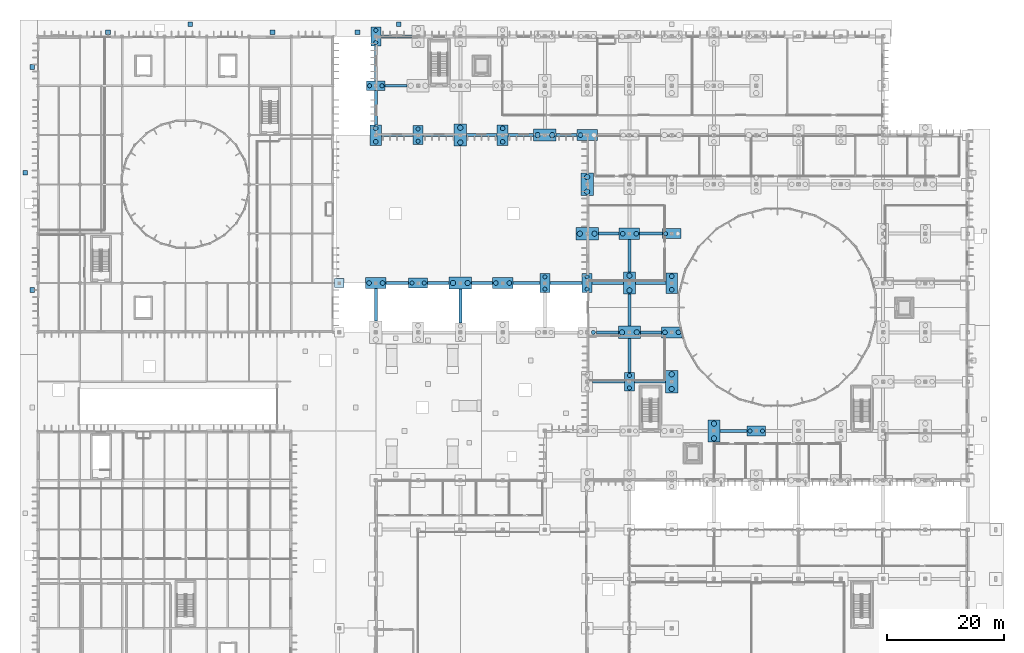
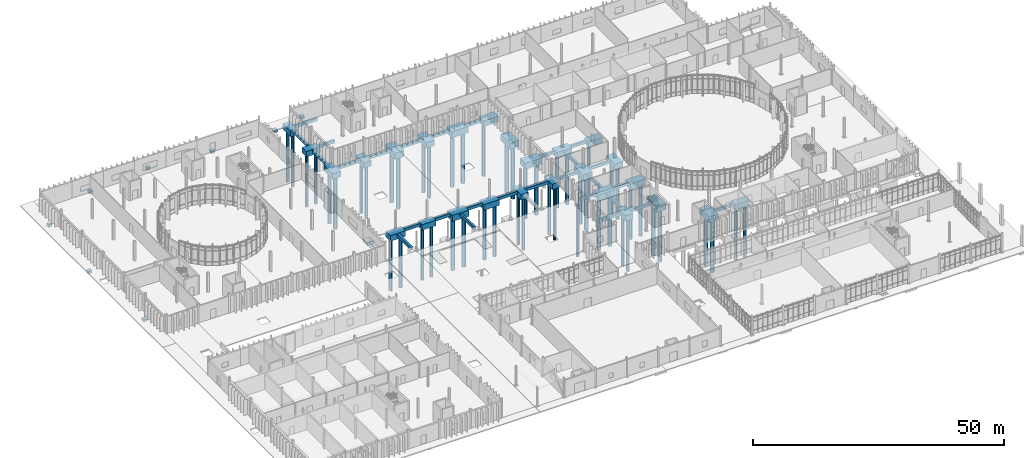
# One storey, part 3 of 118: 63 footings, 51 piles.
"""IFC4 building model written with IfcOpenShell, lengths in metres."""

import ifcopenshell
import ifcopenshell.guid

model = None  # the IFC model being written
_history = None  # IfcOwnerHistory: only IFC2X3 demands one
_inside = {}  # id of a spatial element -> (the spatial element, [elements in it])
_under = {}  # id of a project, library or spatial element -> (it, [spatial elements below it])
_declared = {}  # id of a project -> (the project, [libraries it declares])
_typed = {}  # id of a type object -> (the type object, [elements of that type])
_made_of = {}  # id of a material, layer set ... -> (it, [elements and type objects made of it])


def new_model(schema):
    """Start an empty IFC model of exactly this schema.

    Asked for "IFC4X3", IfcOpenShell would pick the latest addendum, in which some entities
    have other attributes; the version numbers below select the first issue.
    IFC2X3 requires an IfcOwnerHistory on every rooted entity: one is made here for all.
    """
    global model, _history
    if schema == "IFC4X3":
        model = ifcopenshell.file(schema_version=(4, 3, 0, 0))
    else:
        model = ifcopenshell.file(schema=schema)
    _inside.clear()
    _under.clear()
    _declared.clear()
    _typed.clear()
    _made_of.clear()
    _history = None
    if model.schema == "IFC2X3":
        org = make("IfcOrganization", Name="unknown")
        user = make(
            "IfcPersonAndOrganization",
            ThePerson=make("IfcPerson", FamilyName="unknown"),
            TheOrganization=org,
        )
        app = make(
            "IfcApplication",
            ApplicationDeveloper=org,
            Version="unknown",
            ApplicationFullName="unknown",
            ApplicationIdentifier="unknown",
        )
        _history = make(
            "IfcOwnerHistory",
            OwningUser=user,
            OwningApplication=app,
            ChangeAction="ADDED",
            CreationDate=0,
        )
    return model


def make(cls, **values):
    """One entity of the class cls with the attributes given. An attribute that is None is left unset."""
    return model.create_entity(
        cls, **{name: value for name, value in values.items() if value is not None}
    )


def rooted(cls, **values):
    """An entity with a GlobalId (a new one), such as an element, a storey or a relation."""
    return make(cls, GlobalId=ifcopenshell.guid.new(), OwnerHistory=_history, **values)


def si_unit(unit_type, name, prefix=None):
    """IfcSIUnit, for example si_unit("LENGTHUNIT", "METRE", prefix="MILLI")."""
    return make("IfcSIUnit", UnitType=unit_type, Prefix=prefix, Name=name)


def assignment(units):
    """IfcUnitAssignment: the units of a project."""
    return None if units is None else make("IfcUnitAssignment", Units=units)


def point(xyz):
    """IfcCartesianPoint."""
    return None if xyz is None else make("IfcCartesianPoint", Coordinates=xyz)


def direction(xyz):
    """IfcDirection."""
    return None if xyz is None else make("IfcDirection", DirectionRatios=xyz)


def frame(location, z_axis=None, x_axis=None):
    """IfcAxis2Placement3D, a coordinate frame: its origin and axes. An axis left out is left unset."""
    return make(
        "IfcAxis2Placement3D",
        Location=point(location),
        Axis=direction(z_axis),
        RefDirection=direction(x_axis),
    )


def frame_2d(location, x_axis=None):
    """IfcAxis2Placement2D, a coordinate frame in the plane: its origin and x axis."""
    return make(
        "IfcAxis2Placement2D", Location=point(location), RefDirection=direction(x_axis)
    )


def origin():
    """The frame at (0, 0, 0) with its axes left unset."""
    return frame((0.0, 0.0, 0.0))


def origin_2d():
    """The frame at (0, 0) in the plane with its x axis left unset."""
    return frame_2d((0.0, 0.0))


def place(relative_to, where):
    """IfcLocalPlacement: puts the frame where relative to a parent placement (None: the world)."""
    return make(
        "IfcLocalPlacement", PlacementRelTo=relative_to, RelativePlacement=where
    )


def context(
    kind, dimensions, precision=None, world=None, true_north=None, identifier=None
):
    """IfcGeometricRepresentationContext, for example the 3D "Model" context."""
    return make(
        "IfcGeometricRepresentationContext",
        ContextIdentifier=identifier,
        ContextType=kind,
        CoordinateSpaceDimension=dimensions,
        Precision=precision,
        WorldCoordinateSystem=world,
        TrueNorth=true_north,
    )


def subcontext(parent, identifier, kind, view, scale=None):
    """IfcGeometricRepresentationSubContext, for example "Body" below "Model"."""
    return make(
        "IfcGeometricRepresentationSubContext",
        ContextIdentifier=identifier,
        ContextType=kind,
        ParentContext=parent,
        TargetScale=scale,
        TargetView=view,
    )


def project(units=None, contexts=None):
    """IfcProject with its units and contexts."""
    return rooted(
        "IfcProject",
        Name="project",
        RepresentationContexts=contexts,
        UnitsInContext=assignment(units),
    )


def spatial(cls, under=None, at=None, **own):
    """A site, building, storey or space (cls), placed at a placement, below another one or the project."""
    s = rooted(cls, ObjectPlacement=at, **own)
    if under is not None:
        _under.setdefault(under.id(), (under, []))[1].append(s)
    return s


def polyline(points):
    """IfcPolyline through the points."""
    return make("IfcPolyline", Points=[point(p) for p in points])


def profile(cls, at=None, kind="AREA", **sizes):
    """A parametric profile (cls). Its sizes go by their IFC names, for example OverallWidth=200.0."""
    return make(cls, ProfileType=kind, Position=at, **sizes)


def rectangle(**sizes):
    """IfcRectangleProfileDef."""
    return profile("IfcRectangleProfileDef", **sizes)


def circle(**sizes):
    """IfcCircleProfileDef."""
    return profile("IfcCircleProfileDef", **sizes)


def outline(outer, holes=None, kind="AREA"):
    """IfcArbitraryClosedProfileDef: a profile drawn as a closed curve; with holes, ...WithVoids."""
    if holes is None:
        return make("IfcArbitraryClosedProfileDef", ProfileType=kind, OuterCurve=outer)
    return make(
        "IfcArbitraryProfileDefWithVoids",
        ProfileType=kind,
        OuterCurve=outer,
        InnerCurves=holes,
    )


def extrude(swept, where, along, depth):
    """IfcExtrudedAreaSolid: the profile swept, set in the frame where, extruded along a direction by depth."""
    return make(
        "IfcExtrudedAreaSolid",
        SweptArea=swept,
        Position=where,
        ExtrudedDirection=direction(along),
        Depth=depth,
    )


def shape(context_of_items, identifier, shape_type, items):
    """IfcShapeRepresentation: the items that make up one representation, for example the "Body"."""
    return make(
        "IfcShapeRepresentation",
        ContextOfItems=context_of_items,
        RepresentationIdentifier=identifier,
        RepresentationType=shape_type,
        Items=items,
    )


def material(Name=None, Category=None):
    """IfcMaterial."""
    return make("IfcMaterial", Name=Name, Category=Category)


def layer(
    of_material, thickness, ventilated=None, Name=None, Category=None, Priority=None
):
    """IfcMaterialLayer: one layer of a wall or slab, of a material (None: an air gap)."""
    return make(
        "IfcMaterialLayer",
        Material=of_material,
        LayerThickness=thickness,
        IsVentilated=ventilated,
        Name=Name,
        Category=Category,
        Priority=Priority,
    )


def layer_set(layers, Name=None):
    """IfcMaterialLayerSet."""
    return make("IfcMaterialLayerSet", MaterialLayers=layers, LayerSetName=Name)


def material_profile(
    of_material, cross_section, Name=None, Category=None, Priority=None
):
    """IfcMaterialProfile: a cross section and its material."""
    return make(
        "IfcMaterialProfile",
        Name=Name,
        Material=of_material,
        Profile=cross_section,
        Priority=Priority,
        Category=Category,
    )


def profile_set(profiles, Name=None, composite=None):
    """IfcMaterialProfileSet."""
    return make(
        "IfcMaterialProfileSet",
        Name=Name,
        MaterialProfiles=profiles,
        CompositeProfile=composite,
    )


def made_of(thing, what):
    """Note that an element or type object is made of a material, layer set ...; save() writes the relation."""
    if what is not None:
        _made_of.setdefault(what.id(), (what, []))[1].append(thing)
    return thing


def type_object(cls, material=None, **own):
    """A type object (cls), such as IfcWallType, which elements share."""
    return made_of(rooted(cls, **own), material)


def element(
    cls,
    number,
    at=None,
    inside=None,
    cuts=None,
    type_object=None,
    material=None,
    context=None,
    identifier="Body",
    shape_type=None,
    held_by="IfcProductDefinitionShape",
    body=None,
    shapes=None,
    **own,
):
    """One element of the class cls, such as IfcWall. Its Tag is "e" and its number.

    at: its placement. inside: the storey or other place that contains it. cuts: it is an
    opening in that element (IfcRelVoidsElement). A single representation is given by context,
    identifier, shape_type and body (its items); several are given by shapes. held_by: the class
    of the entity that holds the representations. save() writes the other relations.
    """
    e = rooted(cls, Tag="e%d" % number, ObjectPlacement=at, **own)
    if body is not None:
        shapes = [shape(context, identifier, shape_type, body)]
    if shapes is not None:
        e.Representation = make(held_by, Representations=shapes)
    if inside is not None:
        _inside.setdefault(inside.id(), (inside, []))[1].append(e)
    if cuts is not None:
        rooted(
            "IfcRelVoidsElement", RelatingBuildingElement=cuts, RelatedOpeningElement=e
        )
    if type_object is not None:
        _typed.setdefault(type_object.id(), (type_object, []))[1].append(e)
    return made_of(e, material)


def aggregate(whole, parts):
    """IfcRelAggregates: a whole, such as a stair, and the parts it consists of."""
    return rooted("IfcRelAggregates", RelatingObject=whole, RelatedObjects=parts)


def save(model, path):
    """Write the relations noted so far, then the file.

    IfcRelAggregates (storeys below a building ...), IfcRelContainedInSpatialStructure (elements
    in a storey), IfcRelDefinesByType, IfcRelAssociatesMaterial and IfcRelDeclares: one each for
    every whole, place, type object, material and project.
    """
    for whole, parts in _under.values():
        aggregate(whole, parts)
    for where, things in _inside.values():
        rooted(
            "IfcRelContainedInSpatialStructure",
            RelatedElements=things,
            RelatingStructure=where,
        )
    for kind, things in _typed.values():
        rooted("IfcRelDefinesByType", RelatedObjects=things, RelatingType=kind)
    for what, things in _made_of.values():
        rooted("IfcRelAssociatesMaterial", RelatedObjects=things, RelatingMaterial=what)
    for by, libraries in _declared.values():
        rooted("IfcRelDeclares", RelatingContext=by, RelatedDefinitions=libraries)
    model.write(path)


model = new_model("IFC4")

# Units and contexts
model_context = context("Model", 3, precision=1e-05, world=origin(), true_north=direction((0.0, 1.0)))
body_context = subcontext(model_context, "Body", "Model", "MODEL_VIEW")
ifc_project = project(units=[si_unit("LENGTHUNIT", "METRE"), si_unit("AREAUNIT", "SQUARE_METRE"), si_unit("VOLUMEUNIT", "CUBIC_METRE"), si_unit("PLANEANGLEUNIT", "RADIAN"), si_unit("MASSUNIT", "GRAM", prefix="KILO")], contexts=[model_context])

# Site, building, storey
site_placement = place(None, origin())
site = spatial("IfcSite", under=ifc_project, at=site_placement, CompositionType="ELEMENT")
building_placement = place(site_placement, origin())
building = spatial("IfcBuilding", under=site, at=building_placement, Name="Qelthora Terrace Specialist Clinic", CompositionType="ELEMENT")
storey_placement = place(building_placement, origin())
storey = spatial("IfcBuildingStorey", under=building, at=storey_placement, Name="L00", CompositionType="ELEMENT", Elevation=0.0)

# Footings
ifc_material = material(Name="Concrete C35/45", Category="concrete")
ifc_layer_1 = layer(ifc_material, 1.35009765625)
ifc_layer_set_1 = layer_set([ifc_layer_1], Name="Concrete C35/45")
footing_type_1 = type_object("IfcFootingType", Name="PC-1700X3200X1350", PredefinedType="PILE_CAP", material=ifc_layer_set_1)
for number, where, z_axis, x_axis, name in (
    (1, (57.60009765625, 109.199951171875, -1.610107421875), (0.0, 0.0, 1.0), (1.0, 0.0, 0.0), "Foundation FTG-L00-113"),
    (2, (64.800048828125, 92.39990234375, -1.610107421875), (0.0, 0.0, 1.0), (1.0, 0.0, 0.0), "Foundation FTG-L00-119"),
    (3, (86.39990234375, 67.199951171875, -1.610107421875), (0.0, 0.0, 1.0), (1.0, 0.0, 0.0), "Foundation FTG-L00-143"),
    (4, (93.60009765625, 67.199951171875, -1.610107421875), (0.0, 0.0, 1.0), (1.0, 0.0, 0.0), "Foundation FTG-L00-155"),
    (5, (100.800048828125, 50.39990234375, -1.610107421875), (0.0, 0.0, 1.0), (1.0, 0.0, 0.0), "Foundation FTG-L00-167"),
):
    element("IfcFooting", number, at=place(storey_placement, frame(where, z_axis=z_axis, x_axis=x_axis)), inside=storey, type_object=footing_type_1, Name=name, PredefinedType="PILE_CAP", context=body_context, shape_type="SweptSolid", body=[
        extrude(rectangle(XDim=1.699951171875, YDim=3.199951171875, at=origin_2d()), origin(), (0.0, 0.0, 1.0), 1.35009765625),
    ])
ifc_layer_2 = layer(ifc_material, 1.39990234375)
ifc_layer_set_2 = layer_set([ifc_layer_2], Name="Concrete C35/45")
footing_type_2 = type_object("IfcFootingType", Name="PC-1900X3500X1400", PredefinedType="PILE_CAP", material=ifc_layer_set_2)
for number, where, z_axis, x_axis, name in (
    (6, (57.60009765625, 92.39990234375, -1.659912109375), (0.0, 0.0, 1.0), (1.0, 0.0, 0.0), "Foundation FTG-L00-111"),
    (7, (79.199951171875, 92.39990234375, -1.659912109375), (0.0, 0.0, 1.0), (1.0, 0.0, 0.0), "Foundation FTG-L00-135"),
    (8, (108.0, 67.199951171875, -1.659912109375), (0.0, 0.0, 1.0), (1.0, 0.0, 0.0), "Foundation FTG-L00-183"),
):
    element("IfcFooting", number, at=place(storey_placement, frame(where, z_axis=z_axis, x_axis=x_axis)), inside=storey, type_object=footing_type_2, Name=name, PredefinedType="PILE_CAP", context=body_context, shape_type="SweptSolid", body=[
        extrude(rectangle(XDim=1.89990234375, YDim=3.5, at=origin_2d()), origin(), (0.0, 0.0, 1.0), 1.39990234375),
    ])
ifc_layer_3 = layer(ifc_material, 1.5)
ifc_layer_set_3 = layer_set([ifc_layer_3], Name="Concrete C35/45")
footing_type_3 = type_object("IfcFootingType", Name="PC-2100X3800X1500", PredefinedType="PILE_CAP", material=ifc_layer_set_3)
for number, where, z_axis, x_axis, name in (
    (9, (72.0, 92.39990234375, -1.760009765625), (0.0, 0.0, 1.0), (1.0, 0.0, 0.0), "Foundation FTG-L00-127"),
    (10, (93.60009765625, 84.0, -1.760009765625), (0.0, 0.0, 1.0), (1.0, 0.0, 0.0), "Foundation FTG-L00-157"),
    (11, (100.800048828125, 67.199951171875, -1.760009765625), (0.0, 0.0, 1.0), (1.0, 0.0, 0.0), "Foundation FTG-L00-169"),
    (12, (108.0, 50.39990234375, -1.760009765625), (0.0, 0.0, 1.0), (1.0, 0.0, 0.0), "Foundation FTG-L00-181"),
    (13, (115.199951171875, 42.0, -1.760009765625), (0.0, 0.0, 1.0), (1.0, 0.0, 0.0), "Foundation FTG-L00-193"),
):
    element("IfcFooting", number, at=place(storey_placement, frame(where, z_axis=z_axis, x_axis=x_axis)), inside=storey, type_object=footing_type_3, Name=name, PredefinedType="PILE_CAP", context=body_context, shape_type="SweptSolid", body=[
        extrude(rectangle(XDim=2.10009765625, YDim=3.800048828125, at=origin_2d()), origin(), (0.0, 0.0, 1.0), 1.5),
    ])
ifc_layer_4 = layer(ifc_material, 1.35009765625)
ifc_layer_set_4 = layer_set([ifc_layer_4], Name="Concrete C35/45")
footing_type_4 = type_object("IfcFootingType", Name="PC-3200X1700X1350", PredefinedType="PILE_CAP", material=ifc_layer_set_4)
for number, where, z_axis, x_axis, name in (
    (14, (57.60009765625, 100.800048828125, -1.610107421875), (0.0, 0.0, 1.0), (1.0, 0.0, 0.0), "Foundation FTG-L00-112"),
    (15, (64.800048828125, 67.199951171875, -1.610107421875), (0.0, 0.0, 1.0), (1.0, 0.0, 0.0), "Foundation FTG-L00-118"),
    (16, (108.0, 75.60009765625, -1.610107421875), (0.0, 0.0, 1.0), (1.0, 0.0, 0.0), "Foundation FTG-L00-184"),
    (17, (122.39990234375, 42.0, -1.610107421875), (0.0, 0.0, 1.0), (1.0, 0.0, 0.0), "Foundation FTG-L00-202"),
):
    element("IfcFooting", number, at=place(storey_placement, frame(where, z_axis=z_axis, x_axis=x_axis)), inside=storey, type_object=footing_type_4, Name=name, PredefinedType="PILE_CAP", context=body_context, shape_type="SweptSolid", body=[
        extrude(rectangle(XDim=3.199951171875, YDim=1.699951171875, at=origin_2d()), origin(), (0.0, 0.0, 1.0), 1.35009765625),
    ])
ifc_layer_5 = layer(ifc_material, 1.39990234375)
ifc_layer_set_5 = layer_set([ifc_layer_5], Name="Concrete C35/45")
footing_type_5 = type_object("IfcFootingType", Name="PC-3500X1900X1400", PredefinedType="PILE_CAP", material=ifc_layer_set_5)
for number, where, z_axis, x_axis, name in (
    (18, (57.60009765625, 67.199951171875, -1.659912109375), (0.0, 0.0, 1.0), (1.0, 0.0, 0.0), "Foundation FTG-L00-110"),
    (19, (79.199951171875, 67.199951171875, -1.659912109375), (0.0, 0.0, 1.0), (1.0, 0.0, 0.0), "Foundation FTG-L00-134"),
    (20, (93.60009765625, 92.39990234375, -1.659912109375), (0.0, 0.0, 1.0), (1.0, 0.0, 0.0), "Foundation FTG-L00-158"),
    (21, (100.800048828125, 75.60009765625, -1.659912109375), (0.0, 0.0, 1.0), (1.0, 0.0, 0.0), "Foundation FTG-L00-170"),
    (22, (108.0, 58.800048828125, -1.659912109375), (0.0, 0.0, 1.0), (1.0, 0.0, 0.0), "Foundation FTG-L00-182"),
):
    element("IfcFooting", number, at=place(storey_placement, frame(where, z_axis=z_axis, x_axis=x_axis)), inside=storey, type_object=footing_type_5, Name=name, PredefinedType="PILE_CAP", context=body_context, shape_type="SweptSolid", body=[
        extrude(rectangle(XDim=3.5, YDim=1.89990234375, at=origin_2d()), origin(), (0.0, 0.0, 1.0), 1.39990234375),
    ])
ifc_layer_6 = layer(ifc_material, 1.5)
ifc_layer_set_6 = layer_set([ifc_layer_6], Name="Concrete C35/45")
footing_type_6 = type_object("IfcFootingType", Name="PC-3800X2100X1500", PredefinedType="PILE_CAP", material=ifc_layer_set_6)
for number, where, z_axis, x_axis, name in (
    (23, (72.0, 67.199951171875, -1.760009765625), (0.0, 0.0, 1.0), (1.0, 0.0, 0.0), "Foundation FTG-L00-126"),
    (24, (86.39990234375, 92.39990234375, -1.760009765625), (0.0, 0.0, 1.0), (1.0, 0.0, 0.0), "Foundation FTG-L00-144"),
    (25, (93.60009765625, 75.60009765625, -1.760009765625), (0.0, 0.0, 1.0), (1.0, 0.0, 0.0), "Foundation FTG-L00-156"),
    (26, (100.800048828125, 58.800048828125, -1.760009765625), (0.0, 0.0, 1.0), (1.0, 0.0, 0.0), "Foundation FTG-L00-168"),
):
    element("IfcFooting", number, at=place(storey_placement, frame(where, z_axis=z_axis, x_axis=x_axis)), inside=storey, type_object=footing_type_6, Name=name, PredefinedType="PILE_CAP", context=body_context, shape_type="SweptSolid", body=[
        extrude(rectangle(XDim=3.800048828125, YDim=2.10009765625, at=origin_2d()), origin(), (0.0, 0.0, 1.0), 1.5),
    ])
ifc_layer_7 = layer(ifc_material, 0.699951171875)
ifc_layer_set_7 = layer_set([ifc_layer_7], Name="Concrete C35/45")
footing_type_7 = type_object("IfcFootingType", Name="PF-1600X1600X700", PredefinedType="PAD_FOOTING", material=ifc_layer_set_7)
footing_1_placement = place(storey_placement, frame((51.39990234375, 67.199951171875, -0.9599609375), z_axis=(0.0, 0.0, 1.0), x_axis=(1.0, 0.0, 0.0)))
element("IfcFooting", 27, at=footing_1_placement, inside=storey, type_object=footing_type_7, Name="Foundation FTG-L00-103", PredefinedType="PAD_FOOTING", context=body_context, shape_type="SweptSolid", body=[
    extrude(rectangle(XDim=1.60009765625, YDim=1.60009765625, at=origin_2d()), origin(), (0.0, 0.0, 1.0), 0.699951171875),
])
ifc_layer_8 = layer(ifc_material, 0.64990234375)
ifc_layer_set_8 = layer_set([ifc_layer_8], Name="Concrete C35/45")
footing_type_8 = type_object("IfcFootingType", Name="PF-800X800X650", PredefinedType="PAD_FOOTING", material=ifc_layer_set_8)
for number, where, z_axis, x_axis, name in (
    (28, (12.0, 109.89990234375, -0.89990234375), (0.0, 0.0, 1.0), (1.0, 0.0, 0.0), "Under-slab apron pad footing FTG-PLZ-01"),
    (29, (26.0, 111.300048828125, -0.89990234375), (0.0, 0.0, 1.0), (1.0, 0.0, 0.0), "Under-slab apron pad footing FTG-PLZ-02"),
    (30, (40.0, 109.89990234375, -0.89990234375), (0.0, 0.0, 1.0), (1.0, 0.0, 0.0), "Under-slab apron pad footing FTG-PLZ-03"),
    (31, (54.5, 109.89990234375, -0.89990234375), (0.0, 0.0, 1.0), (1.0, 0.0, 0.0), "Under-slab apron pad footing FTG-PLZ-04"),
    (32, (61.5, 111.300048828125, -0.89990234375), (0.0, 0.0, 1.0), (1.0, 0.0, 0.0), "Under-slab apron pad footing FTG-PLZ-05"),
    (33, (-0.89990234375, 66.0, -0.89990234375), (0.0, 0.0, 1.0), (1.0, 0.0, 0.0), "Under-slab apron pad footing FTG-PLZ-22"),
    (34, (-2.10009765625, 86.0, -0.89990234375), (0.0, 0.0, 1.0), (1.0, 0.0, 0.0), "Under-slab apron pad footing FTG-PLZ-23"),
    (35, (-0.89990234375, 104.0, -0.89990234375), (0.0, 0.0, 1.0), (1.0, 0.0, 0.0), "Under-slab apron pad footing FTG-PLZ-24"),
):
    element("IfcFooting", number, at=place(storey_placement, frame(where, z_axis=z_axis, x_axis=x_axis)), inside=storey, type_object=footing_type_8, Name=name, PredefinedType="PAD_FOOTING", context=body_context, shape_type="SweptSolid", body=[
        extrude(rectangle(XDim=0.800048828125, YDim=0.800048828125, at=origin_2d()), origin(), (0.0, 0.0, 1.0), 0.64990234375),
    ])

# Piles
ifc_material_profile_1 = material_profile(ifc_material, circle(Radius=0.35009765625, at=origin_2d()), Name="PILE700")
ifc_profile_set_1 = profile_set([ifc_material_profile_1], Name="Concrete C35/45")
pile_type_1 = type_object("IfcPileType", Name="PILE-D700-C35", PredefinedType="BORED", material=ifc_profile_set_1)
for number, where, z_axis, x_axis, name in (
    (36, (56.550048828125, 100.800048828125, -1.510009765625), (0.0, 0.0, -1.0), (1.0, 0.0, 0.0), "Bored pile PILE-L00-112-1"),
    (37, (58.64990234375, 100.800048828125, -1.510009765625), (0.0, 0.0, -1.0), (1.0, 0.0, 0.0), "Bored pile PILE-L00-112-2"),
    (38, (57.60009765625, 108.14990234375, -1.510009765625), (0.0, 0.0, -1.0), (1.0, 0.0, 0.0), "Bored pile PILE-L00-113-1"),
    (39, (57.60009765625, 110.25, -1.510009765625), (0.0, 0.0, -1.0), (1.0, 0.0, 0.0), "Bored pile PILE-L00-113-2"),
    (40, (63.75, 67.199951171875, -1.510009765625), (0.0, 0.0, -1.0), (1.0, 0.0, 0.0), "Bored pile PILE-L00-118-1"),
    (41, (65.85009765625, 67.199951171875, -1.510009765625), (0.0, 0.0, -1.0), (1.0, 0.0, 0.0), "Bored pile PILE-L00-118-2"),
    (42, (64.800048828125, 91.35009765625, -1.510009765625), (0.0, 0.0, -1.0), (1.0, 0.0, 0.0), "Bored pile PILE-L00-119-1"),
    (43, (64.800048828125, 93.449951171875, -1.510009765625), (0.0, 0.0, -1.0), (1.0, 0.0, 0.0), "Bored pile PILE-L00-119-2"),
    (44, (86.39990234375, 66.14990234375, -1.510009765625), (0.0, 0.0, -1.0), (1.0, 0.0, 0.0), "Bored pile PILE-L00-143-1"),
    (45, (86.39990234375, 68.25, -1.510009765625), (0.0, 0.0, -1.0), (1.0, 0.0, 0.0), "Bored pile PILE-L00-143-2"),
    (46, (94.64990234375, 58.800048828125, -1.510009765625), (0.0, 0.0, -1.0), (1.0, 0.0, 0.0), "Bored pile PILE-L00-154-2"),
    (47, (93.60009765625, 66.14990234375, -1.510009765625), (0.0, 0.0, -1.0), (1.0, 0.0, 0.0), "Bored pile PILE-L00-155-1"),
    (48, (93.60009765625, 68.25, -1.510009765625), (0.0, 0.0, -1.0), (1.0, 0.0, 0.0), "Bored pile PILE-L00-155-2"),
    (49, (100.800048828125, 49.35009765625, -1.510009765625), (0.0, 0.0, -1.0), (1.0, 0.0, 0.0), "Bored pile PILE-L00-167-1"),
    (50, (100.800048828125, 51.449951171875, -1.510009765625), (0.0, 0.0, -1.0), (1.0, 0.0, 0.0), "Bored pile PILE-L00-167-2"),
    (51, (106.949951171875, 75.60009765625, -1.510009765625), (0.0, 0.0, -1.0), (1.0, 0.0, 0.0), "Bored pile PILE-L00-184-1"),
    (52, (121.35009765625, 42.0, -1.510009765625), (0.0, 0.0, -1.0), (1.0, 0.0, 0.0), "Bored pile PILE-L00-202-1"),
    (53, (123.449951171875, 42.0, -1.510009765625), (0.0, 0.0, -1.0), (1.0, 0.0, 0.0), "Bored pile PILE-L00-202-2"),
):
    element("IfcPile", number, at=place(storey_placement, frame(where, z_axis=z_axis, x_axis=x_axis)), inside=storey, type_object=pile_type_1, Name=name, PredefinedType="BORED", context=body_context, shape_type="SweptSolid", body=[
        extrude(circle(Radius=0.35009765625, at=origin_2d()), origin(), (0.0, 0.0, 1.0), 12.7900390625),
    ])
ifc_material_profile_2 = material_profile(ifc_material, circle(Radius=0.39990234375, at=origin_2d()), Name="PILE800")
ifc_profile_set_2 = profile_set([ifc_material_profile_2], Name="Concrete C35/45")
pile_type_2 = type_object("IfcPileType", Name="PILE-D800-C35", PredefinedType="BORED", material=ifc_profile_set_2)
for number, where, z_axis, x_axis, name in (
    (54, (56.449951171875, 67.199951171875, -1.56005859375), (0.0, 0.0, -1.0), (1.0, 0.0, 0.0), "Bored pile PILE-L00-110-1"),
    (55, (58.75, 67.199951171875, -1.56005859375), (0.0, 0.0, -1.0), (1.0, 0.0, 0.0), "Bored pile PILE-L00-110-2"),
    (56, (57.60009765625, 91.25, -1.56005859375), (0.0, 0.0, -1.0), (1.0, 0.0, 0.0), "Bored pile PILE-L00-111-1"),
    (57, (57.60009765625, 93.550048828125, -1.56005859375), (0.0, 0.0, -1.0), (1.0, 0.0, 0.0), "Bored pile PILE-L00-111-2"),
    (58, (78.050048828125, 67.199951171875, -1.56005859375), (0.0, 0.0, -1.0), (1.0, 0.0, 0.0), "Bored pile PILE-L00-134-1"),
    (59, (80.35009765625, 67.199951171875, -1.56005859375), (0.0, 0.0, -1.0), (1.0, 0.0, 0.0), "Bored pile PILE-L00-134-2"),
    (60, (79.199951171875, 91.25, -1.56005859375), (0.0, 0.0, -1.0), (1.0, 0.0, 0.0), "Bored pile PILE-L00-135-1"),
    (61, (79.199951171875, 93.550048828125, -1.56005859375), (0.0, 0.0, -1.0), (1.0, 0.0, 0.0), "Bored pile PILE-L00-135-2"),
    (62, (92.449951171875, 92.39990234375, -1.56005859375), (0.0, 0.0, -1.0), (1.0, 0.0, 0.0), "Bored pile PILE-L00-158-1"),
    (63, (99.64990234375, 75.60009765625, -1.56005859375), (0.0, 0.0, -1.0), (1.0, 0.0, 0.0), "Bored pile PILE-L00-170-1"),
    (64, (101.949951171875, 75.60009765625, -1.56005859375), (0.0, 0.0, -1.0), (1.0, 0.0, 0.0), "Bored pile PILE-L00-170-2"),
    (65, (106.85009765625, 58.800048828125, -1.56005859375), (0.0, 0.0, -1.0), (1.0, 0.0, 0.0), "Bored pile PILE-L00-182-1"),
    (66, (109.14990234375, 58.800048828125, -1.56005859375), (0.0, 0.0, -1.0), (1.0, 0.0, 0.0), "Bored pile PILE-L00-182-2"),
    (67, (108.0, 66.050048828125, -1.56005859375), (0.0, 0.0, -1.0), (1.0, 0.0, 0.0), "Bored pile PILE-L00-183-1"),
    (68, (108.0, 68.35009765625, -1.56005859375), (0.0, 0.0, -1.0), (1.0, 0.0, 0.0), "Bored pile PILE-L00-183-2"),
):
    element("IfcPile", number, at=place(storey_placement, frame(where, z_axis=z_axis, x_axis=x_axis)), inside=storey, type_object=pile_type_2, Name=name, PredefinedType="BORED", context=body_context, shape_type="SweptSolid", body=[
        extrude(circle(Radius=0.39990234375, at=origin_2d()), origin(), (0.0, 0.0, 1.0), 12.739990234375),
    ])
ifc_material_profile_3 = material_profile(ifc_material, circle(Radius=0.449951171875, at=origin_2d()), Name="PILE900")
ifc_profile_set_3 = profile_set([ifc_material_profile_3], Name="Concrete C35/45")
pile_type_3 = type_object("IfcPileType", Name="PILE-D900-C35", PredefinedType="BORED", material=ifc_profile_set_3)
for number, where, z_axis, x_axis, name in (
    (69, (70.75, 67.199951171875, -1.659912109375), (0.0, 0.0, -1.0), (1.0, 0.0, 0.0), "Bored pile PILE-L00-126-1"),
    (70, (73.25, 67.199951171875, -1.659912109375), (0.0, 0.0, -1.0), (1.0, 0.0, 0.0), "Bored pile PILE-L00-126-2"),
    (71, (72.0, 91.14990234375, -1.659912109375), (0.0, 0.0, -1.0), (1.0, 0.0, 0.0), "Bored pile PILE-L00-127-1"),
    (72, (72.0, 93.64990234375, -1.659912109375), (0.0, 0.0, -1.0), (1.0, 0.0, 0.0), "Bored pile PILE-L00-127-2"),
    (73, (85.14990234375, 92.39990234375, -1.659912109375), (0.0, 0.0, -1.0), (1.0, 0.0, 0.0), "Bored pile PILE-L00-144-1"),
    (74, (87.64990234375, 92.39990234375, -1.659912109375), (0.0, 0.0, -1.0), (1.0, 0.0, 0.0), "Bored pile PILE-L00-144-2"),
    (75, (92.35009765625, 75.60009765625, -1.659912109375), (0.0, 0.0, -1.0), (1.0, 0.0, 0.0), "Bored pile PILE-L00-156-1"),
    (76, (94.85009765625, 75.60009765625, -1.659912109375), (0.0, 0.0, -1.0), (1.0, 0.0, 0.0), "Bored pile PILE-L00-156-2"),
    (77, (93.60009765625, 82.75, -1.659912109375), (0.0, 0.0, -1.0), (1.0, 0.0, 0.0), "Bored pile PILE-L00-157-1"),
    (78, (93.60009765625, 85.25, -1.659912109375), (0.0, 0.0, -1.0), (1.0, 0.0, 0.0), "Bored pile PILE-L00-157-2"),
    (79, (99.550048828125, 58.800048828125, -1.659912109375), (0.0, 0.0, -1.0), (1.0, 0.0, 0.0), "Bored pile PILE-L00-168-1"),
    (80, (102.050048828125, 58.800048828125, -1.659912109375), (0.0, 0.0, -1.0), (1.0, 0.0, 0.0), "Bored pile PILE-L00-168-2"),
    (81, (100.800048828125, 65.949951171875, -1.659912109375), (0.0, 0.0, -1.0), (1.0, 0.0, 0.0), "Bored pile PILE-L00-169-1"),
    (82, (100.800048828125, 68.449951171875, -1.659912109375), (0.0, 0.0, -1.0), (1.0, 0.0, 0.0), "Bored pile PILE-L00-169-2"),
    (83, (108.0, 49.14990234375, -1.659912109375), (0.0, 0.0, -1.0), (1.0, 0.0, 0.0), "Bored pile PILE-L00-181-1"),
    (84, (108.0, 51.64990234375, -1.659912109375), (0.0, 0.0, -1.0), (1.0, 0.0, 0.0), "Bored pile PILE-L00-181-2"),
    (85, (115.199951171875, 40.75, -1.659912109375), (0.0, 0.0, -1.0), (1.0, 0.0, 0.0), "Bored pile PILE-L00-193-1"),
    (86, (115.199951171875, 43.25, -1.659912109375), (0.0, 0.0, -1.0), (1.0, 0.0, 0.0), "Bored pile PILE-L00-193-2"),
):
    element("IfcPile", number, at=place(storey_placement, frame(where, z_axis=z_axis, x_axis=x_axis)), inside=storey, type_object=pile_type_3, Name=name, PredefinedType="BORED", context=body_context, shape_type="SweptSolid", body=[
        extrude(circle(Radius=0.449951171875, at=origin_2d()), origin(), (0.0, 0.0, 1.0), 12.639892578125),
    ])

# Footings
ifc_layer_9 = layer(ifc_material, 0.699951171875)
ifc_layer_set_9 = layer_set([ifc_layer_9], Name="Concrete C35/45")
footing_type_9 = type_object("IfcFootingType", Name="SF-500X700-C35", PredefinedType="STRIP_FOOTING", material=ifc_layer_set_9)
footing_2_placement = place(storey_placement, frame((0.0, 0.0, -0.9599609375)))
element("IfcFooting", 87, at=footing_2_placement, inside=storey, type_object=footing_type_9, Name="Foundation tie strip SF-Y-139", PredefinedType="STRIP_FOOTING", context=body_context, shape_type="SweptSolid", body=[
    extrude(outline(polyline([(57.35009765625, 60.699951171875), (57.85009765625, 60.699951171875), (57.85009765625, 66.25), (57.35009765625, 66.25), (57.35009765625, 60.699951171875)])), origin(), (0.0, 0.0, 1.0), 0.699951171875),
])
footing_3_placement = place(storey_placement, frame((0.0, 0.0, -0.9599609375)))
element("IfcFooting", 88, at=footing_3_placement, inside=storey, type_object=footing_type_9, Name="Foundation tie strip SF-X-140", PredefinedType="STRIP_FOOTING", context=body_context, shape_type="SweptSolid", body=[
    extrude(outline(polyline([(59.35009765625, 66.949951171875), (63.199951171875, 66.949951171875), (63.199951171875, 67.449951171875), (59.35009765625, 67.449951171875), (59.35009765625, 66.949951171875)])), origin(), (0.0, 0.0, 1.0), 0.699951171875),
])
footing_4_placement = place(storey_placement, frame((0.0, 0.0, -0.9599609375)))
element("IfcFooting", 89, at=footing_4_placement, inside=storey, type_object=footing_type_9, Name="Foundation tie strip SF-X-141", PredefinedType="STRIP_FOOTING", context=body_context, shape_type="SweptSolid", body=[
    extrude(outline(polyline([(58.550048828125, 92.14990234375), (63.949951171875, 92.14990234375), (63.949951171875, 92.64990234375), (58.550048828125, 92.64990234375), (58.550048828125, 92.14990234375)])), origin(), (0.0, 0.0, 1.0), 0.699951171875),
])
footing_5_placement = place(storey_placement, frame((0.0, 0.0, -0.9599609375)))
element("IfcFooting", 90, at=footing_5_placement, inside=storey, type_object=footing_type_9, Name="Foundation tie strip SF-Y-142", PredefinedType="STRIP_FOOTING", context=body_context, shape_type="SweptSolid", body=[
    extrude(outline(polyline([(57.35009765625, 94.14990234375), (57.85009765625, 94.14990234375), (57.85009765625, 99.949951171875), (57.35009765625, 99.949951171875), (57.35009765625, 94.14990234375)])), origin(), (0.0, 0.0, 1.0), 0.699951171875),
])
footing_6_placement = place(storey_placement, frame((0.0, 0.0, -0.9599609375)))
element("IfcFooting", 91, at=footing_6_placement, inside=storey, type_object=footing_type_9, Name="Foundation tie strip SF-X-143", PredefinedType="STRIP_FOOTING", context=body_context, shape_type="SweptSolid", body=[
    extrude(outline(polyline([(59.199951171875, 100.550048828125), (62.89990234375, 100.550048828125), (62.89990234375, 101.050048828125), (59.199951171875, 101.050048828125), (59.199951171875, 100.550048828125)])), origin(), (0.0, 0.0, 1.0), 0.699951171875),
])
footing_7_placement = place(storey_placement, frame((0.0, 0.0, -0.9599609375)))
element("IfcFooting", 92, at=footing_7_placement, inside=storey, type_object=footing_type_9, Name="Foundation tie strip SF-Y-144", PredefinedType="STRIP_FOOTING", context=body_context, shape_type="SweptSolid", body=[
    extrude(outline(polyline([(57.35009765625, 101.64990234375), (57.85009765625, 101.64990234375), (57.85009765625, 107.60009765625), (57.35009765625, 107.60009765625), (57.35009765625, 101.64990234375)])), origin(), (0.0, 0.0, 1.0), 0.699951171875),
])
footing_8_placement = place(storey_placement, frame((0.0, 0.0, -0.9599609375)))
element("IfcFooting", 93, at=footing_8_placement, inside=storey, type_object=footing_type_9, Name="Foundation tie strip SF-X-145", PredefinedType="STRIP_FOOTING", context=body_context, shape_type="SweptSolid", body=[
    extrude(outline(polyline([(58.449951171875, 108.949951171875), (63.75, 108.949951171875), (63.75, 109.449951171875), (58.449951171875, 109.449951171875), (58.449951171875, 108.949951171875)])), origin(), (0.0, 0.0, 1.0), 0.699951171875),
])
footing_9_placement = place(storey_placement, frame((0.0, 0.0, -0.9599609375)))
element("IfcFooting", 94, at=footing_9_placement, inside=storey, type_object=footing_type_9, Name="Foundation tie strip SF-X-150", PredefinedType="STRIP_FOOTING", context=body_context, shape_type="SweptSolid", body=[
    extrude(outline(polyline([(66.39990234375, 66.949951171875), (70.10009765625, 66.949951171875), (70.10009765625, 67.449951171875), (66.39990234375, 67.449951171875), (66.39990234375, 66.949951171875)])), origin(), (0.0, 0.0, 1.0), 0.699951171875),
])
footing_10_placement = place(storey_placement, frame((0.0, 0.0, -0.9599609375)))
element("IfcFooting", 95, at=footing_10_placement, inside=storey, type_object=footing_type_9, Name="Foundation tie strip SF-X-151", PredefinedType="STRIP_FOOTING", context=body_context, shape_type="SweptSolid", body=[
    extrude(outline(polyline([(65.64990234375, 92.14990234375), (70.949951171875, 92.14990234375), (70.949951171875, 92.64990234375), (65.64990234375, 92.64990234375), (65.64990234375, 92.14990234375)])), origin(), (0.0, 0.0, 1.0), 0.699951171875),
])
footing_11_placement = place(storey_placement, frame((0.0, 0.0, -0.9599609375)))
element("IfcFooting", 96, at=footing_11_placement, inside=storey, type_object=footing_type_9, Name="Foundation tie strip SF-Y-159", PredefinedType="STRIP_FOOTING", context=body_context, shape_type="SweptSolid", body=[
    extrude(outline(polyline([(71.75, 60.39990234375), (72.25, 60.39990234375), (72.25, 66.14990234375), (71.75, 66.14990234375), (71.75, 60.39990234375)])), origin(), (0.0, 0.0, 1.0), 0.699951171875),
])
footing_12_placement = place(storey_placement, frame((0.0, 0.0, -0.9599609375)))
element("IfcFooting", 97, at=footing_12_placement, inside=storey, type_object=footing_type_9, Name="Foundation tie strip SF-X-160", PredefinedType="STRIP_FOOTING", context=body_context, shape_type="SweptSolid", body=[
    extrude(outline(polyline([(73.89990234375, 66.949951171875), (77.449951171875, 66.949951171875), (77.449951171875, 67.449951171875), (73.89990234375, 67.449951171875), (73.89990234375, 66.949951171875)])), origin(), (0.0, 0.0, 1.0), 0.699951171875),
])
footing_13_placement = place(storey_placement, frame((0.0, 0.0, -0.9599609375)))
element("IfcFooting", 98, at=footing_13_placement, inside=storey, type_object=footing_type_9, Name="Foundation tie strip SF-X-161", PredefinedType="STRIP_FOOTING", context=body_context, shape_type="SweptSolid", body=[
    extrude(outline(polyline([(73.050048828125, 92.14990234375), (78.25, 92.14990234375), (78.25, 92.64990234375), (73.050048828125, 92.64990234375), (73.050048828125, 92.14990234375)])), origin(), (0.0, 0.0, 1.0), 0.699951171875),
])
footing_14_placement = place(storey_placement, frame((0.0, 0.0, -0.9599609375)))
element("IfcFooting", 99, at=footing_14_placement, inside=storey, type_object=footing_type_9, Name="Foundation tie strip SF-X-170", PredefinedType="STRIP_FOOTING", context=body_context, shape_type="SweptSolid", body=[
    extrude(outline(polyline([(80.949951171875, 66.949951171875), (85.550048828125, 66.949951171875), (85.550048828125, 67.449951171875), (80.949951171875, 67.449951171875), (80.949951171875, 66.949951171875)])), origin(), (0.0, 0.0, 1.0), 0.699951171875),
])
footing_15_placement = place(storey_placement, frame((0.0, 0.0, -0.9599609375)))
element("IfcFooting", 100, at=footing_15_placement, inside=storey, type_object=footing_type_9, Name="Foundation tie strip SF-X-171", PredefinedType="STRIP_FOOTING", context=body_context, shape_type="SweptSolid", body=[
    extrude(outline(polyline([(80.14990234375, 92.14990234375), (84.5, 92.14990234375), (84.5, 92.64990234375), (80.14990234375, 92.64990234375), (80.14990234375, 92.14990234375)])), origin(), (0.0, 0.0, 1.0), 0.699951171875),
])
footing_16_placement = place(storey_placement, frame((0.0, 0.0, -0.9599609375)))
element("IfcFooting", 101, at=footing_16_placement, inside=storey, type_object=footing_type_9, Name="Foundation tie strip SF-X-182", PredefinedType="STRIP_FOOTING", context=body_context, shape_type="SweptSolid", body=[
    extrude(outline(polyline([(87.25, 66.949951171875), (92.75, 66.949951171875), (92.75, 67.449951171875), (87.25, 67.449951171875), (87.25, 66.949951171875)])), origin(), (0.0, 0.0, 1.0), 0.699951171875),
])
footing_17_placement = place(storey_placement, frame((0.0, 0.0, -0.9599609375)))
element("IfcFooting", 102, at=footing_17_placement, inside=storey, type_object=footing_type_9, Name="Foundation tie strip SF-X-183", PredefinedType="STRIP_FOOTING", context=body_context, shape_type="SweptSolid", body=[
    extrude(outline(polyline([(88.300048828125, 92.14990234375), (91.85009765625, 92.14990234375), (91.85009765625, 92.64990234375), (88.300048828125, 92.64990234375), (88.300048828125, 92.14990234375)])), origin(), (0.0, 0.0, 1.0), 0.699951171875),
])
footing_18_placement = place(storey_placement, frame((0.0, 0.0, -0.9599609375)))
element("IfcFooting", 103, at=footing_18_placement, inside=storey, type_object=footing_type_9, Name="Foundation tie strip SF-X-194", PredefinedType="STRIP_FOOTING", context=body_context, shape_type="SweptSolid", body=[
    extrude(outline(polyline([(94.550048828125, 50.14990234375), (99.949951171875, 50.14990234375), (99.949951171875, 50.64990234375), (94.550048828125, 50.64990234375), (94.550048828125, 50.14990234375)])), origin(), (0.0, 0.0, 1.0), 0.699951171875),
])
footing_19_placement = place(storey_placement, frame((0.0, 0.0, -0.9599609375)))
element("IfcFooting", 104, at=footing_19_placement, inside=storey, type_object=footing_type_9, Name="Foundation tie strip SF-X-195", PredefinedType="STRIP_FOOTING", context=body_context, shape_type="SweptSolid", body=[
    extrude(outline(polyline([(95.199951171875, 58.550048828125), (98.89990234375, 58.550048828125), (98.89990234375, 59.050048828125), (95.199951171875, 59.050048828125), (95.199951171875, 58.550048828125)])), origin(), (0.0, 0.0, 1.0), 0.699951171875),
])
footing_20_placement = place(storey_placement, frame((0.0, 0.0, -0.9599609375)))
element("IfcFooting", 105, at=footing_20_placement, inside=storey, type_object=footing_type_9, Name="Foundation tie strip SF-X-196", PredefinedType="STRIP_FOOTING", context=body_context, shape_type="SweptSolid", body=[
    extrude(outline(polyline([(94.449951171875, 66.949951171875), (99.75, 66.949951171875), (99.75, 67.449951171875), (94.449951171875, 67.449951171875), (94.449951171875, 66.949951171875)])), origin(), (0.0, 0.0, 1.0), 0.699951171875),
])
footing_21_placement = place(storey_placement, frame((0.0, 0.0, -0.9599609375)))
element("IfcFooting", 106, at=footing_21_placement, inside=storey, type_object=footing_type_9, Name="Foundation tie strip SF-X-197", PredefinedType="STRIP_FOOTING", context=body_context, shape_type="SweptSolid", body=[
    extrude(outline(polyline([(95.5, 75.35009765625), (99.050048828125, 75.35009765625), (99.050048828125, 75.85009765625), (95.5, 75.85009765625), (95.5, 75.35009765625)])), origin(), (0.0, 0.0, 1.0), 0.699951171875),
])
footing_22_placement = place(storey_placement, frame((0.0, 0.0, -0.9599609375)))
element("IfcFooting", 107, at=footing_22_placement, inside=storey, type_object=footing_type_9, Name="Foundation tie strip SF-X-214", PredefinedType="STRIP_FOOTING", context=body_context, shape_type="SweptSolid", body=[
    extrude(outline(polyline([(101.64990234375, 50.14990234375), (106.949951171875, 50.14990234375), (106.949951171875, 50.64990234375), (101.64990234375, 50.64990234375), (101.64990234375, 50.14990234375)])), origin(), (0.0, 0.0, 1.0), 0.699951171875),
])
footing_23_placement = place(storey_placement, frame((0.0, 0.0, -0.9599609375)))
element("IfcFooting", 108, at=footing_23_placement, inside=storey, type_object=footing_type_9, Name="Foundation tie strip SF-Y-215", PredefinedType="STRIP_FOOTING", context=body_context, shape_type="SweptSolid", body=[
    extrude(outline(polyline([(100.550048828125, 52.0), (101.050048828125, 52.0), (101.050048828125, 57.75), (100.550048828125, 57.75), (100.550048828125, 52.0)])), origin(), (0.0, 0.0, 1.0), 0.699951171875),
])
footing_24_placement = place(storey_placement, frame((0.0, 0.0, -0.9599609375)))
element("IfcFooting", 109, at=footing_24_placement, inside=storey, type_object=footing_type_9, Name="Foundation tie strip SF-X-216", PredefinedType="STRIP_FOOTING", context=body_context, shape_type="SweptSolid", body=[
    extrude(outline(polyline([(102.699951171875, 58.550048828125), (106.25, 58.550048828125), (106.25, 59.050048828125), (102.699951171875, 59.050048828125), (102.699951171875, 58.550048828125)])), origin(), (0.0, 0.0, 1.0), 0.699951171875),
])
footing_25_placement = place(storey_placement, frame((0.0, 0.0, -0.9599609375)))
element("IfcFooting", 110, at=footing_25_placement, inside=storey, type_object=footing_type_9, Name="Foundation tie strip SF-Y-217", PredefinedType="STRIP_FOOTING", context=body_context, shape_type="SweptSolid", body=[
    extrude(outline(polyline([(100.550048828125, 59.85009765625), (101.050048828125, 59.85009765625), (101.050048828125, 65.300048828125), (100.550048828125, 65.300048828125), (100.550048828125, 59.85009765625)])), origin(), (0.0, 0.0, 1.0), 0.699951171875),
])
footing_26_placement = place(storey_placement, frame((0.0, 0.0, -0.9599609375)))
element("IfcFooting", 111, at=footing_26_placement, inside=storey, type_object=footing_type_9, Name="Foundation tie strip SF-X-218", PredefinedType="STRIP_FOOTING", context=body_context, shape_type="SweptSolid", body=[
    extrude(outline(polyline([(101.85009765625, 66.949951171875), (107.050048828125, 66.949951171875), (107.050048828125, 67.449951171875), (101.85009765625, 67.449951171875), (101.85009765625, 66.949951171875)])), origin(), (0.0, 0.0, 1.0), 0.699951171875),
])
footing_27_placement = place(storey_placement, frame((0.0, 0.0, -0.9599609375)))
element("IfcFooting", 112, at=footing_27_placement, inside=storey, type_object=footing_type_9, Name="Foundation tie strip SF-Y-219", PredefinedType="STRIP_FOOTING", context=body_context, shape_type="SweptSolid", body=[
    extrude(outline(polyline([(100.550048828125, 69.10009765625), (101.050048828125, 69.10009765625), (101.050048828125, 74.64990234375), (100.550048828125, 74.64990234375), (100.550048828125, 69.10009765625)])), origin(), (0.0, 0.0, 1.0), 0.699951171875),
])
footing_28_placement = place(storey_placement, frame((0.0, 0.0, -0.9599609375)))
element("IfcFooting", 113, at=footing_28_placement, inside=storey, type_object=footing_type_9, Name="Foundation tie strip SF-X-220", PredefinedType="STRIP_FOOTING", context=body_context, shape_type="SweptSolid", body=[
    extrude(outline(polyline([(102.550048828125, 75.35009765625), (106.39990234375, 75.35009765625), (106.39990234375, 75.85009765625), (102.550048828125, 75.85009765625), (102.550048828125, 75.35009765625)])), origin(), (0.0, 0.0, 1.0), 0.699951171875),
])
footing_29_placement = place(storey_placement, frame((0.0, 0.0, -0.9599609375)))
element("IfcFooting", 114, at=footing_29_placement, inside=storey, type_object=footing_type_9, Name="Foundation tie strip SF-X-245", PredefinedType="STRIP_FOOTING", context=body_context, shape_type="SweptSolid", body=[
    extrude(outline(polyline([(116.25, 41.75), (120.800048828125, 41.75), (120.800048828125, 42.25), (116.25, 42.25), (116.25, 41.75)])), origin(), (0.0, 0.0, 1.0), 0.699951171875),
])

save(model, "model.ifc")
